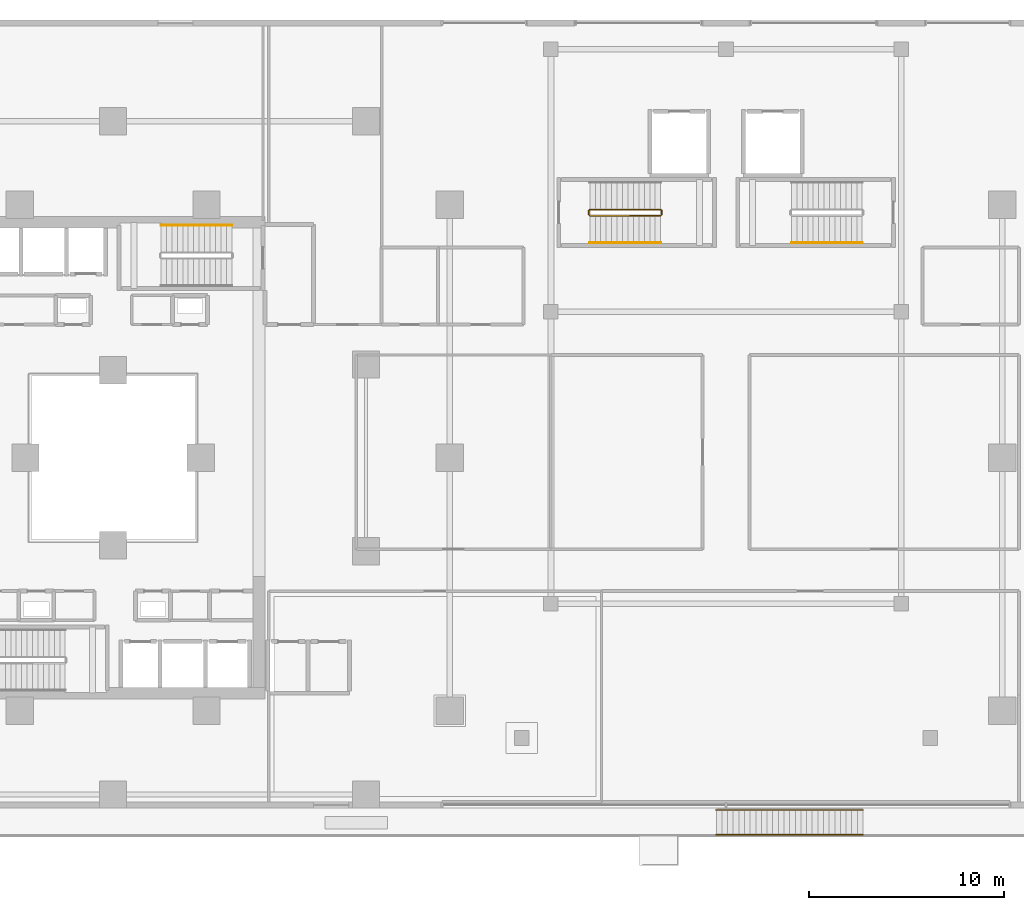
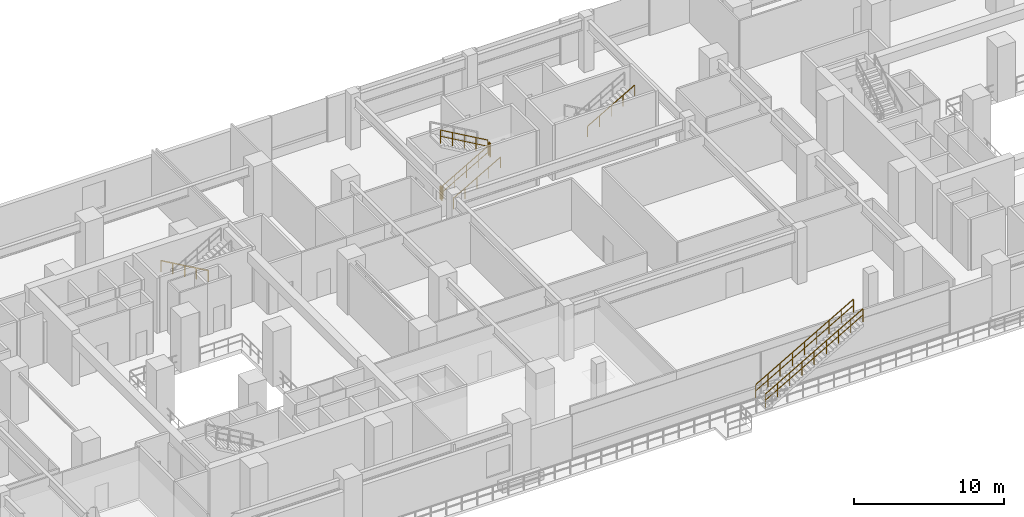
# One storey, part 22 of 24: 9 railings.
"""IFC4 building model written with IfcOpenShell, lengths in metres."""

from ifc_helpers import new_model, si_unit, direction, frame, origin, origin_2d, place, context, subcontext, project, spatial, rectangle, extrude, material, type_object, element, save


model = new_model("IFC4")

# Units and contexts
model_context = context("Model", 3, precision=1e-05, world=origin(), true_north=direction((0.0, 1.0)))
body_context = subcontext(model_context, "Body", "Model", "MODEL_VIEW")
ifc_project = project(units=[si_unit("LENGTHUNIT", "METRE"), si_unit("AREAUNIT", "SQUARE_METRE"), si_unit("VOLUMEUNIT", "CUBIC_METRE"), si_unit("PLANEANGLEUNIT", "RADIAN"), si_unit("MASSUNIT", "GRAM", prefix="KILO")], contexts=[model_context])

# Site, building, storey
site_placement = place(None, origin())
site = spatial("IfcSite", under=ifc_project, at=site_placement, CompositionType="ELEMENT")
building_placement = place(site_placement, origin())
building = spatial("IfcBuilding", under=site, at=building_placement, Name="Thornwick Lancets Civic Towers", CompositionType="ELEMENT")
storey_placement = place(building_placement, frame((0.0, 0.0, 14.10009765625)))
storey = spatial("IfcBuildingStorey", under=building, at=storey_placement, Name="L03", CompositionType="ELEMENT", Elevation=14.10009765625)

# Railings
ifc_material_1 = material(Name="Brushed stainless steel S355", Category="steel")
railing_type_1 = type_object("IfcRailingType", Name="RAIL_HANDRAIL", PredefinedType="HANDRAIL", material=ifc_material_1)
railing_1_placement = place(storey_placement, frame((31.60009765625, 38.949951171875, 0.16064453125)))
element("IfcRailing", 1, at=railing_1_placement, inside=storey, type_object=railing_type_1, Name="L03 ST-A2 stair handrail 1", PredefinedType="HANDRAIL", context=body_context, shape_type="SweptSolid", body=[
    extrude(rectangle(XDim=0.048095703125, YDim=0.048095703125, at=origin_2d()), frame((0.0, 0.0, 0.8857421875), z_axis=(-0.867289372828, 0.0, 0.497804322781), x_axis=(0.0, -1.0, 0.0)), (0.0, 0.0, 1.0), 4.197021484375),
    extrude(rectangle(XDim=0.0419921875, YDim=0.0419921875, at=origin_2d()), origin(), (0.0, 0.0, 1.0), 0.855712890625),
    extrude(rectangle(XDim=0.0419921875, YDim=0.0419921875, at=origin_2d()), frame((-0.91015625, 0.0, 0.5224609375)), (0.0, 0.0, 1.0), 0.855712890625),
    extrude(rectangle(XDim=0.0419921875, YDim=0.0419921875, at=origin_2d()), frame((-1.820068359375, 0.0, 1.044677734375)), (0.0, 0.0, 1.0), 0.855712890625),
    extrude(rectangle(XDim=0.0419921875, YDim=0.0419921875, at=origin_2d()), frame((-2.72998046875, 0.0, 1.56689453125)), (0.0, 0.0, 1.0), 0.855712890625),
    extrude(rectangle(XDim=0.0419921875, YDim=0.0419921875, at=origin_2d()), frame((-3.64013671875, 0.0, 2.08935546875)), (0.0, 0.0, 1.0), 0.855712890625),
])
for number, where, name in (
    (2, (50.0, 38.050048828125, 0.16064453125), "L03 ST-P5 stair handrail 1"),
    (3, (60.360107421875, 38.050048828125, 2.41064453125), "L03 ST-P6 stair handrail 2"),
):
    element("IfcRailing", number, at=place(storey_placement, frame(where)), inside=storey, type_object=railing_type_1, Name=name, PredefinedType="HANDRAIL", context=body_context, shape_type="SweptSolid", body=[
        extrude(rectangle(XDim=0.048095703125, YDim=0.048095703125, at=origin_2d()), frame((0.0, 0.0, 0.8857421875), z_axis=(0.8672749571, 0.0, 0.497829437445), x_axis=(0.0, 1.0, 0.0)), (0.0, 0.0, 1.0), 4.197021484375),
        extrude(rectangle(XDim=0.0419921875, YDim=0.0419921875, at=origin_2d()), origin(), (0.0, 0.0, 1.0), 0.855712890625),
        extrude(rectangle(XDim=0.0419921875, YDim=0.0419921875, at=origin_2d()), frame((0.909912109375, 0.0, 0.5224609375)), (0.0, 0.0, 1.0), 0.855712890625),
        extrude(rectangle(XDim=0.0419921875, YDim=0.0419921875, at=origin_2d()), frame((1.81982421875, 0.0, 1.044677734375)), (0.0, 0.0, 1.0), 0.855712890625),
        extrude(rectangle(XDim=0.0419921875, YDim=0.0419921875, at=origin_2d()), frame((2.72998046875, 0.0, 1.56689453125)), (0.0, 0.0, 1.0), 0.855712890625),
        extrude(rectangle(XDim=0.0419921875, YDim=0.0419921875, at=origin_2d()), frame((3.639892578125, 0.0, 2.08935546875)), (0.0, 0.0, 1.0), 0.855712890625),
    ])
ifc_material_2 = material(Name="Steel S355JR", Category="steel")
railing_type_2 = type_object("IfcRailingType", Name="RAIL_STAIR_GUARD", PredefinedType="GUARDRAIL", material=ifc_material_2)
railing_2_placement = place(storey_placement, frame((50.0, 39.449951171875, 0.16064453125)))
element("IfcRailing", 4, at=railing_2_placement, inside=storey, type_object=railing_type_2, Name="L03 ST-P5 stair guard 1", PredefinedType="GUARDRAIL", context=body_context, shape_type="SweptSolid", body=[
    extrude(rectangle(XDim=0.048095703125, YDim=0.048095703125, at=origin_2d()), frame((0.0, 0.0, 1.076171875), z_axis=(0.8672749571, 0.0, 0.497829437445), x_axis=(0.0, 1.0, 0.0)), (0.0, 0.0, 1.0), 4.197021484375),
    extrude(rectangle(XDim=0.0419921875, YDim=0.0419921875, at=origin_2d()), frame((0.032470703125, 0.0, 0.5908203125), z_axis=(0.8672749571, 0.0, 0.497829437445), x_axis=(0.0, 1.0, 0.0)), (0.0, 0.0, 1.0), 0.974365234375),
    extrude(rectangle(XDim=0.0419921875, YDim=0.0419921875, at=origin_2d()), frame((0.9423828125, 0.0, 1.113037109375), z_axis=(0.8672749571, 0.0, 0.497829437445), x_axis=(0.0, 1.0, 0.0)), (0.0, 0.0, 1.0), 0.974365234375),
    extrude(rectangle(XDim=0.0419921875, YDim=0.0419921875, at=origin_2d()), frame((1.8525390625, 0.0, 1.635498046875), z_axis=(0.8672749571, 0.0, 0.497829437445), x_axis=(0.0, 1.0, 0.0)), (0.0, 0.0, 1.0), 0.974365234375),
    extrude(rectangle(XDim=0.0419921875, YDim=0.0419921875, at=origin_2d()), frame((2.762451171875, 0.0, 2.15771484375), z_axis=(0.8672749571, 0.0, 0.497829437445), x_axis=(0.0, 1.0, 0.0)), (0.0, 0.0, 1.0), 0.974365234375),
    extrude(rectangle(XDim=0.0419921875, YDim=0.0419921875, at=origin_2d()), origin(), (0.0, 0.0, 1.0), 1.0458984375),
    extrude(rectangle(XDim=0.0419921875, YDim=0.0419921875, at=origin_2d()), frame((0.909912109375, 0.0, 0.5224609375)), (0.0, 0.0, 1.0), 1.0458984375),
    extrude(rectangle(XDim=0.0419921875, YDim=0.0419921875, at=origin_2d()), frame((1.81982421875, 0.0, 1.044677734375)), (0.0, 0.0, 1.0), 1.0458984375),
    extrude(rectangle(XDim=0.0419921875, YDim=0.0419921875, at=origin_2d()), frame((2.72998046875, 0.0, 1.56689453125)), (0.0, 0.0, 1.0), 1.0458984375),
    extrude(rectangle(XDim=0.0419921875, YDim=0.0419921875, at=origin_2d()), frame((3.639892578125, 0.0, 2.08935546875)), (0.0, 0.0, 1.0), 1.0458984375),
])
railing_3_placement = place(storey_placement, frame((53.68994140625, 39.5, 2.25)))
element("IfcRailing", 5, at=railing_3_placement, inside=storey, type_object=railing_type_2, Name="L03 ST-P5 stair guard 2", PredefinedType="GUARDRAIL", context=body_context, shape_type="SweptSolid", body=[
    extrude(rectangle(XDim=0.048095703125, YDim=0.048095703125, at=origin_2d()), frame((0.0, 0.0, 1.076171875), z_axis=(0.0, 1.0, 0.0), x_axis=(-1.0, 0.0, 0.0)), (0.0, 0.0, 1.0), 0.199951171875),
    extrude(rectangle(XDim=0.0419921875, YDim=0.0419921875, at=origin_2d()), frame((0.0, 0.03759765625, 0.572021484375), z_axis=(0.0, 1.0, 0.0), x_axis=(-1.0, 0.0, 0.0)), (0.0, 0.0, 1.0), 0.125),
    extrude(rectangle(XDim=0.0419921875, YDim=0.0419921875, at=origin_2d()), origin(), (0.0, 0.0, 1.0), 1.0458984375),
    extrude(rectangle(XDim=0.0419921875, YDim=0.0419921875, at=origin_2d()), frame((0.0, 0.199951171875, 0.0)), (0.0, 0.0, 1.0), 1.0458984375),
])
railing_4_placement = place(storey_placement, frame((53.639892578125, 39.75, 2.41064453125)))
element("IfcRailing", 6, at=railing_4_placement, inside=storey, type_object=railing_type_2, Name="L03 ST-P5 stair guard 3", PredefinedType="GUARDRAIL", context=body_context, shape_type="SweptSolid", body=[
    extrude(rectangle(XDim=0.048095703125, YDim=0.048095703125, at=origin_2d()), frame((0.0, 0.0, 1.076171875), z_axis=(-0.8672749571, 0.0, 0.497829437445), x_axis=(0.0, -1.0, 0.0)), (0.0, 0.0, 1.0), 4.197021484375),
    extrude(rectangle(XDim=0.0419921875, YDim=0.0419921875, at=origin_2d()), frame((-0.032470703125, 0.0, 0.5908203125), z_axis=(-0.8672749571, 0.0, 0.497829437445), x_axis=(0.0, -1.0, 0.0)), (0.0, 0.0, 1.0), 0.974365234375),
    extrude(rectangle(XDim=0.0419921875, YDim=0.0419921875, at=origin_2d()), frame((-0.9423828125, 0.0, 1.113037109375), z_axis=(-0.8672749571, 0.0, 0.497829437445), x_axis=(0.0, -1.0, 0.0)), (0.0, 0.0, 1.0), 0.974365234375),
    extrude(rectangle(XDim=0.0419921875, YDim=0.0419921875, at=origin_2d()), frame((-1.8525390625, 0.0, 1.635498046875), z_axis=(-0.8672749571, 0.0, 0.497829437445), x_axis=(0.0, -1.0, 0.0)), (0.0, 0.0, 1.0), 0.974365234375),
    extrude(rectangle(XDim=0.0419921875, YDim=0.0419921875, at=origin_2d()), frame((-2.762451171875, 0.0, 2.15771484375), z_axis=(-0.8672749571, 0.0, 0.497829437445), x_axis=(0.0, -1.0, 0.0)), (0.0, 0.0, 1.0), 0.974365234375),
    extrude(rectangle(XDim=0.0419921875, YDim=0.0419921875, at=origin_2d()), origin(), (0.0, 0.0, 1.0), 1.0458984375),
    extrude(rectangle(XDim=0.0419921875, YDim=0.0419921875, at=origin_2d()), frame((-0.909912109375, 0.0, 0.5224609375)), (0.0, 0.0, 1.0), 1.0458984375),
    extrude(rectangle(XDim=0.0419921875, YDim=0.0419921875, at=origin_2d()), frame((-1.81982421875, 0.0, 1.044677734375)), (0.0, 0.0, 1.0), 1.0458984375),
    extrude(rectangle(XDim=0.0419921875, YDim=0.0419921875, at=origin_2d()), frame((-2.72998046875, 0.0, 1.56689453125)), (0.0, 0.0, 1.0), 1.0458984375),
    extrude(rectangle(XDim=0.0419921875, YDim=0.0419921875, at=origin_2d()), frame((-3.639892578125, 0.0, 2.08935546875)), (0.0, 0.0, 1.0), 1.0458984375),
])
railing_5_placement = place(storey_placement, frame((49.949951171875, 39.5, 0.0)))
element("IfcRailing", 7, at=railing_5_placement, inside=storey, type_object=railing_type_2, Name="L03 ST-P5 stair guard 4", PredefinedType="GUARDRAIL", context=body_context, shape_type="SweptSolid", body=[
    extrude(rectangle(XDim=0.048095703125, YDim=0.048095703125, at=origin_2d()), frame((0.0, 0.0, 1.076171875), z_axis=(0.0, 1.0, 0.0), x_axis=(-1.0, 0.0, 0.0)), (0.0, 0.0, 1.0), 0.199951171875),
    extrude(rectangle(XDim=0.0419921875, YDim=0.0419921875, at=origin_2d()), frame((0.0, 0.03759765625, 0.572021484375), z_axis=(0.0, 1.0, 0.0), x_axis=(-1.0, 0.0, 0.0)), (0.0, 0.0, 1.0), 0.125),
    extrude(rectangle(XDim=0.0419921875, YDim=0.0419921875, at=origin_2d()), origin(), (0.0, 0.0, 1.0), 1.0458984375),
    extrude(rectangle(XDim=0.0419921875, YDim=0.0419921875, at=origin_2d()), frame((0.0, 0.199951171875, 0.0)), (0.0, 0.0, 1.0), 1.0458984375),
])
railing_6_placement = place(storey_placement, frame((56.5, 7.6201171875, 0.16650390625)))
element("IfcRailing", 8, at=railing_6_placement, inside=storey, type_object=railing_type_2, Name="L03 Garden Stair Guard S", PredefinedType="GUARDRAIL", context=body_context, shape_type="SweptSolid", body=[
    extrude(rectangle(XDim=0.048095703125, YDim=0.048095703125, at=origin_2d()), frame((0.0, 0.0, 1.076171875), z_axis=(0.867006973741, 0.0, 0.498296003882), x_axis=(0.0, 1.0, 0.0)), (0.0, 0.0, 1.0), 8.696533203125),
    extrude(rectangle(XDim=0.0419921875, YDim=0.0419921875, at=origin_2d()), frame((0.032470703125, 0.0, 0.5908203125), z_axis=(0.867006973741, 0.0, 0.498296003882), x_axis=(0.0, 1.0, 0.0)), (0.0, 0.0, 1.0), 1.01220703125),
    extrude(rectangle(XDim=0.0419921875, YDim=0.0419921875, at=origin_2d()), frame((0.97509765625, 0.0, 1.13232421875), z_axis=(0.867006973741, 0.0, 0.498296003882), x_axis=(0.0, 1.0, 0.0)), (0.0, 0.0, 1.0), 1.01220703125),
    extrude(rectangle(XDim=0.0419921875, YDim=0.0419921875, at=origin_2d()), frame((1.91748046875, 0.0, 1.674072265625), z_axis=(0.867006973741, 0.0, 0.498296003882), x_axis=(0.0, 1.0, 0.0)), (0.0, 0.0, 1.0), 1.01220703125),
    extrude(rectangle(XDim=0.0419921875, YDim=0.0419921875, at=origin_2d()), frame((2.860107421875, 0.0, 2.2158203125), z_axis=(0.867006973741, 0.0, 0.498296003882), x_axis=(0.0, 1.0, 0.0)), (0.0, 0.0, 1.0), 1.01220703125),
    extrude(rectangle(XDim=0.0419921875, YDim=0.0419921875, at=origin_2d()), frame((3.802490234375, 0.0, 2.757568359375), z_axis=(0.867006973741, 0.0, 0.498296003882), x_axis=(0.0, 1.0, 0.0)), (0.0, 0.0, 1.0), 1.01220703125),
    extrude(rectangle(XDim=0.0419921875, YDim=0.0419921875, at=origin_2d()), frame((4.7451171875, 0.0, 3.299072265625), z_axis=(0.867006973741, 0.0, 0.498296003882), x_axis=(0.0, 1.0, 0.0)), (0.0, 0.0, 1.0), 1.01220703125),
    extrude(rectangle(XDim=0.0419921875, YDim=0.0419921875, at=origin_2d()), frame((5.6875, 0.0, 3.8408203125), z_axis=(0.867006973741, 0.0, 0.498296003882), x_axis=(0.0, 1.0, 0.0)), (0.0, 0.0, 1.0), 1.01220703125),
    extrude(rectangle(XDim=0.0419921875, YDim=0.0419921875, at=origin_2d()), frame((6.630126953125, 0.0, 4.382568359375), z_axis=(0.867006973741, 0.0, 0.498296003882), x_axis=(0.0, 1.0, 0.0)), (0.0, 0.0, 1.0), 1.01220703125),
    extrude(rectangle(XDim=0.0419921875, YDim=0.0419921875, at=origin_2d()), origin(), (0.0, 0.0, 1.0), 1.0458984375),
    extrude(rectangle(XDim=0.0419921875, YDim=0.0419921875, at=origin_2d()), frame((0.9423828125, 0.0, 0.541748046875)), (0.0, 0.0, 1.0), 1.0458984375),
    extrude(rectangle(XDim=0.0419921875, YDim=0.0419921875, at=origin_2d()), frame((1.885009765625, 0.0, 1.08349609375)), (0.0, 0.0, 1.0), 1.0458984375),
    extrude(rectangle(XDim=0.0419921875, YDim=0.0419921875, at=origin_2d()), frame((2.82763671875, 0.0, 1.625)), (0.0, 0.0, 1.0), 1.0458984375),
    extrude(rectangle(XDim=0.0419921875, YDim=0.0419921875, at=origin_2d()), frame((3.77001953125, 0.0, 2.166748046875)), (0.0, 0.0, 1.0), 1.0458984375),
    extrude(rectangle(XDim=0.0419921875, YDim=0.0419921875, at=origin_2d()), frame((4.71240234375, 0.0, 2.70849609375)), (0.0, 0.0, 1.0), 1.0458984375),
    extrude(rectangle(XDim=0.0419921875, YDim=0.0419921875, at=origin_2d()), frame((5.655029296875, 0.0, 3.25)), (0.0, 0.0, 1.0), 1.0458984375),
    extrude(rectangle(XDim=0.0419921875, YDim=0.0419921875, at=origin_2d()), frame((6.59765625, 0.0, 3.791748046875)), (0.0, 0.0, 1.0), 1.0458984375),
    extrude(rectangle(XDim=0.0419921875, YDim=0.0419921875, at=origin_2d()), frame((7.5400390625, 0.0, 4.33349609375)), (0.0, 0.0, 1.0), 1.0458984375),
])
railing_7_placement = place(storey_placement, frame((56.5, 8.89990234375, 0.16650390625)))
element("IfcRailing", 9, at=railing_7_placement, inside=storey, type_object=railing_type_2, Name="L03 Garden Stair Guard N", PredefinedType="GUARDRAIL", context=body_context, shape_type="SweptSolid", body=[
    extrude(rectangle(XDim=0.048095703125, YDim=0.048095703125, at=origin_2d()), frame((0.0, 0.0, 1.076171875), z_axis=(0.867006973741, 0.0, 0.498296003882), x_axis=(0.0, 1.0, 0.0)), (0.0, 0.0, 1.0), 8.696533203125),
    extrude(rectangle(XDim=0.0419921875, YDim=0.0419921875, at=origin_2d()), frame((0.032470703125, 0.0, 0.5908203125), z_axis=(0.867006973741, 0.0, 0.498296003882), x_axis=(0.0, 1.0, 0.0)), (0.0, 0.0, 1.0), 1.01220703125),
    extrude(rectangle(XDim=0.0419921875, YDim=0.0419921875, at=origin_2d()), frame((0.97509765625, 0.0, 1.13232421875), z_axis=(0.867006973741, 0.0, 0.498296003882), x_axis=(0.0, 1.0, 0.0)), (0.0, 0.0, 1.0), 1.01220703125),
    extrude(rectangle(XDim=0.0419921875, YDim=0.0419921875, at=origin_2d()), frame((1.91748046875, 0.0, 1.674072265625), z_axis=(0.867006973741, 0.0, 0.498296003882), x_axis=(0.0, 1.0, 0.0)), (0.0, 0.0, 1.0), 1.01220703125),
    extrude(rectangle(XDim=0.0419921875, YDim=0.0419921875, at=origin_2d()), frame((2.860107421875, 0.0, 2.2158203125), z_axis=(0.867006973741, 0.0, 0.498296003882), x_axis=(0.0, 1.0, 0.0)), (0.0, 0.0, 1.0), 1.01220703125),
    extrude(rectangle(XDim=0.0419921875, YDim=0.0419921875, at=origin_2d()), frame((3.802490234375, 0.0, 2.757568359375), z_axis=(0.867006973741, 0.0, 0.498296003882), x_axis=(0.0, 1.0, 0.0)), (0.0, 0.0, 1.0), 1.01220703125),
    extrude(rectangle(XDim=0.0419921875, YDim=0.0419921875, at=origin_2d()), frame((4.7451171875, 0.0, 3.299072265625), z_axis=(0.867006973741, 0.0, 0.498296003882), x_axis=(0.0, 1.0, 0.0)), (0.0, 0.0, 1.0), 1.01220703125),
    extrude(rectangle(XDim=0.0419921875, YDim=0.0419921875, at=origin_2d()), frame((5.6875, 0.0, 3.8408203125), z_axis=(0.867006973741, 0.0, 0.498296003882), x_axis=(0.0, 1.0, 0.0)), (0.0, 0.0, 1.0), 1.01220703125),
    extrude(rectangle(XDim=0.0419921875, YDim=0.0419921875, at=origin_2d()), frame((6.630126953125, 0.0, 4.382568359375), z_axis=(0.867006973741, 0.0, 0.498296003882), x_axis=(0.0, 1.0, 0.0)), (0.0, 0.0, 1.0), 1.01220703125),
    extrude(rectangle(XDim=0.0419921875, YDim=0.0419921875, at=origin_2d()), origin(), (0.0, 0.0, 1.0), 1.0458984375),
    extrude(rectangle(XDim=0.0419921875, YDim=0.0419921875, at=origin_2d()), frame((0.9423828125, 0.0, 0.541748046875)), (0.0, 0.0, 1.0), 1.0458984375),
    extrude(rectangle(XDim=0.0419921875, YDim=0.0419921875, at=origin_2d()), frame((1.885009765625, 0.0, 1.08349609375)), (0.0, 0.0, 1.0), 1.0458984375),
    extrude(rectangle(XDim=0.0419921875, YDim=0.0419921875, at=origin_2d()), frame((2.82763671875, 0.0, 1.625)), (0.0, 0.0, 1.0), 1.0458984375),
    extrude(rectangle(XDim=0.0419921875, YDim=0.0419921875, at=origin_2d()), frame((3.77001953125, 0.0, 2.166748046875)), (0.0, 0.0, 1.0), 1.0458984375),
    extrude(rectangle(XDim=0.0419921875, YDim=0.0419921875, at=origin_2d()), frame((4.71240234375, 0.0, 2.70849609375)), (0.0, 0.0, 1.0), 1.0458984375),
    extrude(rectangle(XDim=0.0419921875, YDim=0.0419921875, at=origin_2d()), frame((5.655029296875, 0.0, 3.25)), (0.0, 0.0, 1.0), 1.0458984375),
    extrude(rectangle(XDim=0.0419921875, YDim=0.0419921875, at=origin_2d()), frame((6.59765625, 0.0, 3.791748046875)), (0.0, 0.0, 1.0), 1.0458984375),
    extrude(rectangle(XDim=0.0419921875, YDim=0.0419921875, at=origin_2d()), frame((7.5400390625, 0.0, 4.33349609375)), (0.0, 0.0, 1.0), 1.0458984375),
])

save(model, "model.ifc")
